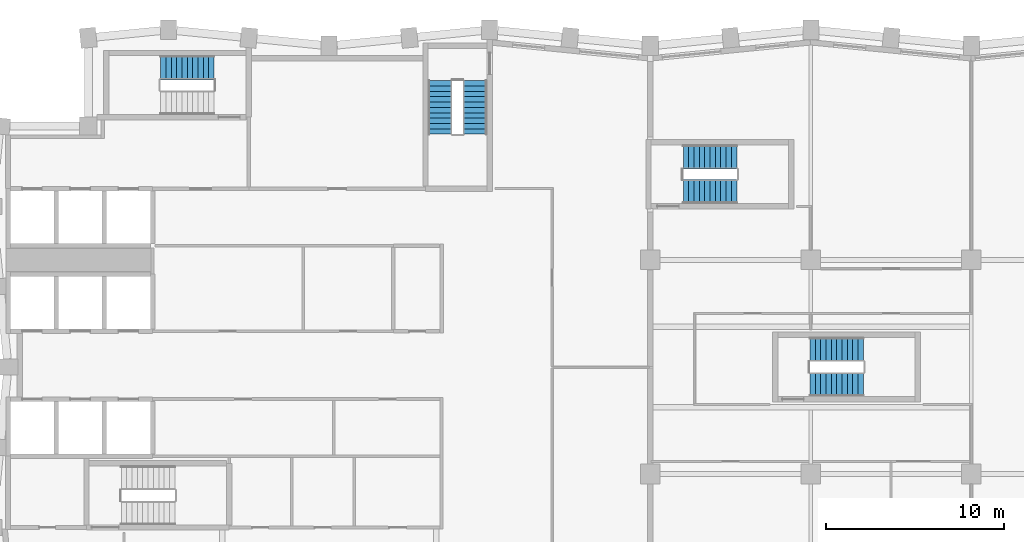
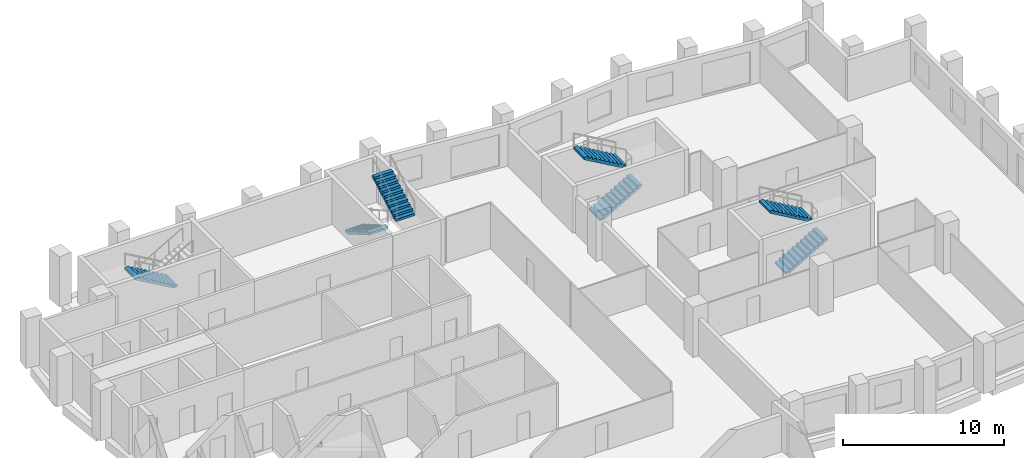
# One storey, part 8 of 10: 7 stair flights, 4 elements without a shape of their own.
"""IFC4 building model written with IfcOpenShell, lengths in metres."""

from ifc_helpers import new_model, si_unit, direction, frame, origin, place, context, subcontext, project, spatial, polyline, outline, extrude, material, type_object, element, aggregate, save


model = new_model("IFC4")

# Units and contexts
model_context = context("Model", 3, precision=1e-05, world=origin(), true_north=direction((0.0, 1.0)))
body_context = subcontext(model_context, "Body", "Model", "MODEL_VIEW")
ifc_project = project(units=[si_unit("LENGTHUNIT", "METRE"), si_unit("AREAUNIT", "SQUARE_METRE"), si_unit("VOLUMEUNIT", "CUBIC_METRE"), si_unit("PLANEANGLEUNIT", "RADIAN"), si_unit("MASSUNIT", "GRAM", prefix="KILO")], contexts=[model_context])

# Site, building, storey
site_placement = place(None, origin())
site = spatial("IfcSite", under=ifc_project, at=site_placement, CompositionType="ELEMENT")
building_placement = place(site_placement, origin())
building = spatial("IfcBuilding", under=site, at=building_placement, Name="Brondeck Convention Tower", CompositionType="ELEMENT")
storey_placement = place(building_placement, frame((0.0, 0.0, 158.60009765625)))
storey = spatial("IfcBuildingStorey", under=building, at=storey_placement, Name="L38", CompositionType="ELEMENT", Elevation=158.60009765625)

# Stair, stair flights
ifc_material = material(Name="Precast concrete C50/60", Category="concrete")
stair_type = type_object("IfcStairType", Name="Core stair 22 risers 172.73 mm riser 300 mm going 1350 wide", PredefinedType="HALF_TURN_STAIR", material=ifc_material)
stair_1_placement = place(storey_placement, origin())
stair_1 = element("IfcStair", 1, at=stair_1_placement, inside=storey, type_object=stair_type, Name="ST-2 L38 stair", PredefinedType="HALF_TURN_STAIR")
stair_flight_type = type_object("IfcStairFlightType", Name="Core stair flight 22 risers 172.73 mm riser 300 mm going 1350 wide", PredefinedType="STRAIGHT", material=ifc_material)
stair_flight_1_placement = place(storey_placement, frame((24.22509765625, 61.050048828125, 0.0), z_axis=(0.0, 0.0, 1.0), x_axis=(0.0, -1.0, 0.0)))
stair_flight_1 = element("IfcStairFlight", 2, at=stair_flight_1_placement, type_object=stair_flight_type, Name="ST-2 flight 1", NumberOfRisers=11, NumberOfTreads=10, PredefinedType="STRAIGHT", RiserHeight=0.172727273, TreadLength=0.3, context=body_context, shape_type="SweptSolid", body=[
    extrude(outline(polyline([(0.0, 0.0), (0.0, 0.172607421875), (0.300048828125, 0.172607421875), (0.300048828125, 0.345458984375), (0.60009765625, 0.345458984375), (0.60009765625, 0.51806640625), (0.89990234375, 0.51806640625), (0.89990234375, 0.69091796875), (1.199951171875, 0.69091796875), (1.199951171875, 0.863525390625), (1.5, 0.863525390625), (1.5, 1.036376953125), (1.800048828125, 1.036376953125), (1.800048828125, 1.208984375), (2.10009765625, 1.208984375), (2.10009765625, 1.3818359375), (2.39990234375, 1.3818359375), (2.39990234375, 1.554443359375), (2.699951171875, 1.554443359375), (2.699951171875, 1.727294921875), (3.0, 1.727294921875), (3.0, 1.89990234375), (3.0, 1.55419921875), (0.300537109375, 0.0), (0.0, 0.0)])), frame((0.0, 0.675048828125, 0.0), z_axis=(0.0, -1.0, 0.0), x_axis=(1.0, 0.0, 0.0)), (0.0, 0.0, 1.0), 1.35009765625),
])
stair_flight_2_placement = place(storey_placement, frame((26.175048828125, 58.050048828125, 1.89990234375), z_axis=(0.0, 0.0, 1.0), x_axis=(0.0, 1.0, 0.0)))
stair_flight_2 = element("IfcStairFlight", 3, at=stair_flight_2_placement, type_object=stair_flight_type, Name="ST-2 flight 2", NumberOfRisers=11, NumberOfTreads=10, PredefinedType="STRAIGHT", RiserHeight=0.172727273, TreadLength=0.3, context=body_context, shape_type="SweptSolid", body=[
    extrude(outline(polyline([(0.0, 0.0), (0.0, 0.172607421875), (0.300048828125, 0.172607421875), (0.300048828125, 0.345458984375), (0.60009765625, 0.345458984375), (0.60009765625, 0.51806640625), (0.89990234375, 0.51806640625), (0.89990234375, 0.69091796875), (1.199951171875, 0.69091796875), (1.199951171875, 0.863525390625), (1.5, 0.863525390625), (1.5, 1.036376953125), (1.800048828125, 1.036376953125), (1.800048828125, 1.208984375), (2.10009765625, 1.208984375), (2.10009765625, 1.3818359375), (2.39990234375, 1.3818359375), (2.39990234375, 1.554443359375), (2.699951171875, 1.554443359375), (2.699951171875, 1.727294921875), (3.0, 1.727294921875), (3.0, 1.89990234375), (3.0, 1.55419921875), (0.300537109375, 0.0), (0.0, 0.0)])), frame((0.0, 0.675048828125, 0.0), z_axis=(0.0, -1.0, 0.0), x_axis=(1.0, 0.0, 0.0)), (0.0, 0.0, 1.0), 1.35009765625),
])
aggregate(stair_1, [stair_flight_1, stair_flight_2])

# Stair, stair flight
stair_2_placement = place(storey_placement, origin())
stair_2 = element("IfcStair", 4, at=stair_2_placement, inside=storey, type_object=stair_type, Name="ST-3 L38 stair", PredefinedType="HALF_TURN_STAIR")
stair_flight_3_placement = place(storey_placement, frame((11.550048828125, 61.77490234375, 0.0), z_axis=(0.0, 0.0, 1.0), x_axis=(-1.0, 0.0, 0.0)))
stair_flight_3 = element("IfcStairFlight", 5, at=stair_flight_3_placement, type_object=stair_flight_type, Name="ST-3 flight 1", NumberOfRisers=11, NumberOfTreads=10, PredefinedType="STRAIGHT", RiserHeight=0.172727273, TreadLength=0.3, context=body_context, shape_type="SweptSolid", body=[
    extrude(outline(polyline([(0.0, 0.0), (0.0, 0.172607421875), (0.300048828125, 0.172607421875), (0.300048828125, 0.345458984375), (0.60009765625, 0.345458984375), (0.60009765625, 0.51806640625), (0.89990234375, 0.51806640625), (0.89990234375, 0.69091796875), (1.199951171875, 0.69091796875), (1.199951171875, 0.863525390625), (1.5, 0.863525390625), (1.5, 1.036376953125), (1.800048828125, 1.036376953125), (1.800048828125, 1.208984375), (2.10009765625, 1.208984375), (2.10009765625, 1.3818359375), (2.39990234375, 1.3818359375), (2.39990234375, 1.554443359375), (2.699951171875, 1.554443359375), (2.699951171875, 1.727294921875), (3.0, 1.727294921875), (3.0, 1.89990234375), (3.0, 1.55419921875), (0.300537109375, 0.0), (0.0, 0.0)])), frame((0.0, 0.675048828125, 0.0), z_axis=(0.0, -1.0, 0.0), x_axis=(1.0, 0.0, 0.0)), (0.0, 0.0, 1.0), 1.35009765625),
])
aggregate(stair_2, [stair_flight_3])

# Stair, stair flights
stair_3_placement = place(storey_placement, origin())
stair_3 = element("IfcStair", 6, at=stair_3_placement, inside=storey, type_object=stair_type, Name="ST-AE L38 stair", PredefinedType="HALF_TURN_STAIR")
stair_flight_4_placement = place(storey_placement, frame((37.85009765625, 54.824951171875, 0.0), z_axis=(0.0, 0.0, 1.0), x_axis=(1.0, 0.0, 0.0)))
stair_flight_4 = element("IfcStairFlight", 7, at=stair_flight_4_placement, type_object=stair_flight_type, Name="ST-AE flight 1", NumberOfRisers=11, NumberOfTreads=10, PredefinedType="STRAIGHT", RiserHeight=0.172727273, TreadLength=0.3, context=body_context, shape_type="SweptSolid", body=[
    extrude(outline(polyline([(0.0, 0.0), (0.0, 0.172607421875), (0.300048828125, 0.172607421875), (0.300048828125, 0.345458984375), (0.60009765625, 0.345458984375), (0.60009765625, 0.51806640625), (0.89990234375, 0.51806640625), (0.89990234375, 0.69091796875), (1.199951171875, 0.69091796875), (1.199951171875, 0.863525390625), (1.5, 0.863525390625), (1.5, 1.036376953125), (1.800048828125, 1.036376953125), (1.800048828125, 1.208984375), (2.10009765625, 1.208984375), (2.10009765625, 1.3818359375), (2.39990234375, 1.3818359375), (2.39990234375, 1.554443359375), (2.699951171875, 1.554443359375), (2.699951171875, 1.727294921875), (3.0, 1.727294921875), (3.0, 1.89990234375), (3.0, 1.55419921875), (0.300537109375, 0.0), (0.0, 0.0)])), frame((0.0, 0.675048828125, 0.0), z_axis=(0.0, -1.0, 0.0), x_axis=(1.0, 0.0, 0.0)), (0.0, 0.0, 1.0), 1.35009765625),
])
stair_flight_5_placement = place(storey_placement, frame((40.85009765625, 56.77490234375, 1.89990234375), z_axis=(0.0, 0.0, 1.0), x_axis=(-1.0, 0.0, 0.0)))
stair_flight_5 = element("IfcStairFlight", 8, at=stair_flight_5_placement, type_object=stair_flight_type, Name="ST-AE flight 2", NumberOfRisers=11, NumberOfTreads=10, PredefinedType="STRAIGHT", RiserHeight=0.172727273, TreadLength=0.3, context=body_context, shape_type="SweptSolid", body=[
    extrude(outline(polyline([(0.0, 0.0), (0.0, 0.172607421875), (0.300048828125, 0.172607421875), (0.300048828125, 0.345458984375), (0.60009765625, 0.345458984375), (0.60009765625, 0.51806640625), (0.89990234375, 0.51806640625), (0.89990234375, 0.69091796875), (1.199951171875, 0.69091796875), (1.199951171875, 0.863525390625), (1.5, 0.863525390625), (1.5, 1.036376953125), (1.800048828125, 1.036376953125), (1.800048828125, 1.208984375), (2.10009765625, 1.208984375), (2.10009765625, 1.3818359375), (2.39990234375, 1.3818359375), (2.39990234375, 1.554443359375), (2.699951171875, 1.554443359375), (2.699951171875, 1.727294921875), (3.0, 1.727294921875), (3.0, 1.89990234375), (3.0, 1.55419921875), (0.300537109375, 0.0), (0.0, 0.0)])), frame((0.0, 0.675048828125, 0.0), z_axis=(0.0, -1.0, 0.0), x_axis=(1.0, 0.0, 0.0)), (0.0, 0.0, 1.0), 1.35009765625),
])
aggregate(stair_3, [stair_flight_4, stair_flight_5])

stair_4_placement = place(storey_placement, origin())
stair_4 = element("IfcStair", 9, at=stair_4_placement, inside=storey, type_object=stair_type, Name="ST-AF L38 stair", PredefinedType="HALF_TURN_STAIR")
stair_flight_6_placement = place(storey_placement, frame((44.949951171875, 44.02490234375, 0.0), z_axis=(0.0, 0.0, 1.0), x_axis=(1.0, 0.0, 0.0)))
stair_flight_6 = element("IfcStairFlight", 10, at=stair_flight_6_placement, type_object=stair_flight_type, Name="ST-AF flight 1", NumberOfRisers=11, NumberOfTreads=10, PredefinedType="STRAIGHT", RiserHeight=0.172727273, TreadLength=0.3, context=body_context, shape_type="SweptSolid", body=[
    extrude(outline(polyline([(0.0, 0.0), (0.0, 0.172607421875), (0.300048828125, 0.172607421875), (0.300048828125, 0.345458984375), (0.60009765625, 0.345458984375), (0.60009765625, 0.51806640625), (0.89990234375, 0.51806640625), (0.89990234375, 0.69091796875), (1.199951171875, 0.69091796875), (1.199951171875, 0.863525390625), (1.5, 0.863525390625), (1.5, 1.036376953125), (1.800048828125, 1.036376953125), (1.800048828125, 1.208984375), (2.10009765625, 1.208984375), (2.10009765625, 1.3818359375), (2.39990234375, 1.3818359375), (2.39990234375, 1.554443359375), (2.699951171875, 1.554443359375), (2.699951171875, 1.727294921875), (3.0, 1.727294921875), (3.0, 1.89990234375), (3.0, 1.55419921875), (0.300537109375, 0.0), (0.0, 0.0)])), frame((0.0, 0.675048828125, 0.0), z_axis=(0.0, -1.0, 0.0), x_axis=(1.0, 0.0, 0.0)), (0.0, 0.0, 1.0), 1.35009765625),
])
stair_flight_7_placement = place(storey_placement, frame((47.949951171875, 45.97509765625, 1.89990234375), z_axis=(0.0, 0.0, 1.0), x_axis=(-1.0, 0.0, 0.0)))
stair_flight_7 = element("IfcStairFlight", 11, at=stair_flight_7_placement, type_object=stair_flight_type, Name="ST-AF flight 2", NumberOfRisers=11, NumberOfTreads=10, PredefinedType="STRAIGHT", RiserHeight=0.172727273, TreadLength=0.3, context=body_context, shape_type="SweptSolid", body=[
    extrude(outline(polyline([(0.0, 0.0), (0.0, 0.172607421875), (0.300048828125, 0.172607421875), (0.300048828125, 0.345458984375), (0.60009765625, 0.345458984375), (0.60009765625, 0.51806640625), (0.89990234375, 0.51806640625), (0.89990234375, 0.69091796875), (1.199951171875, 0.69091796875), (1.199951171875, 0.863525390625), (1.5, 0.863525390625), (1.5, 1.036376953125), (1.800048828125, 1.036376953125), (1.800048828125, 1.208984375), (2.10009765625, 1.208984375), (2.10009765625, 1.3818359375), (2.39990234375, 1.3818359375), (2.39990234375, 1.554443359375), (2.699951171875, 1.554443359375), (2.699951171875, 1.727294921875), (3.0, 1.727294921875), (3.0, 1.89990234375), (3.0, 1.55419921875), (0.300537109375, 0.0), (0.0, 0.0)])), frame((0.0, 0.675048828125, 0.0), z_axis=(0.0, -1.0, 0.0), x_axis=(1.0, 0.0, 0.0)), (0.0, 0.0, 1.0), 1.35009765625),
])
aggregate(stair_4, [stair_flight_6, stair_flight_7])

save(model, "model.ifc")
